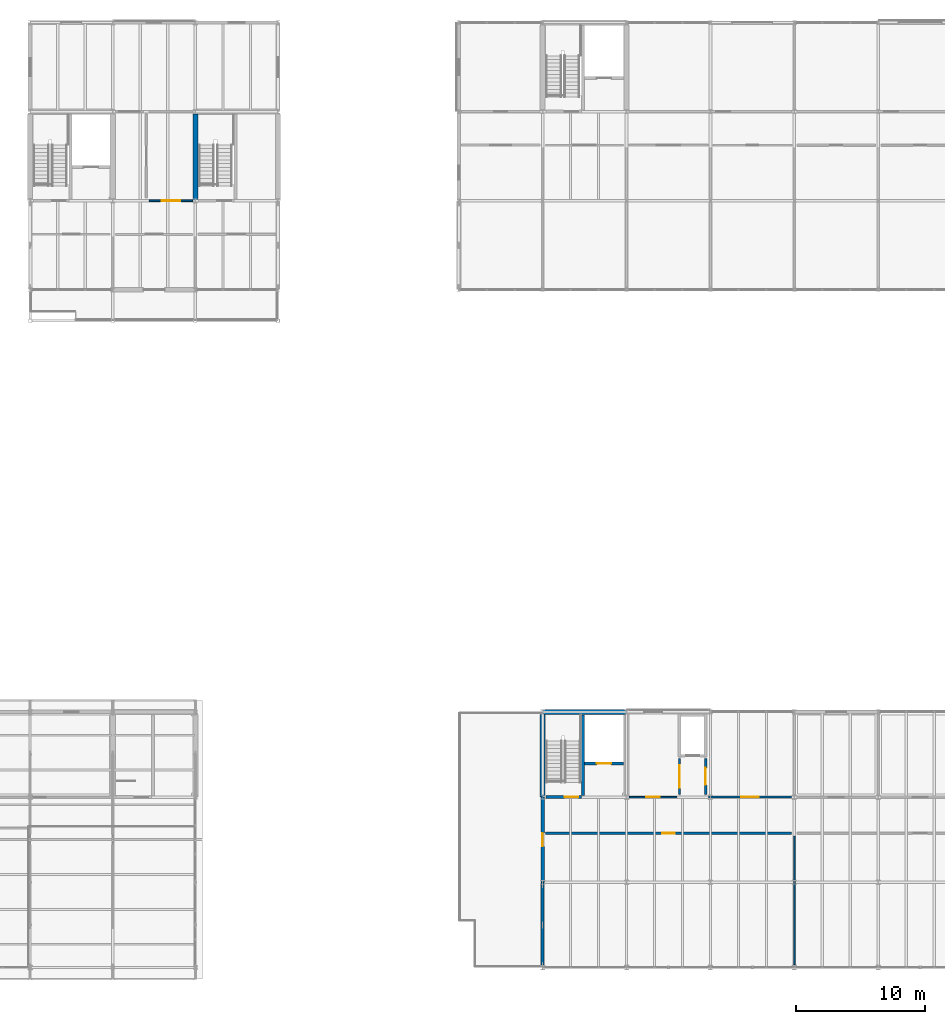
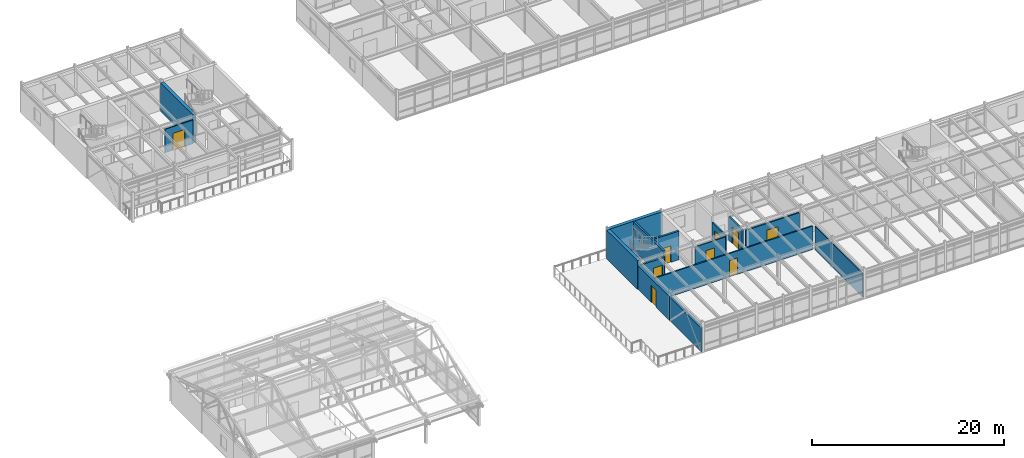
# One storey, part 47 of 57: 15 walls, 9 doors, 9 openings.
"""IFC4 building model written with IfcOpenShell, lengths in metres."""

import ifcopenshell
import ifcopenshell.guid

model = None  # the IFC model being written
_history = None  # IfcOwnerHistory: only IFC2X3 demands one
_inside = {}  # id of a spatial element -> (the spatial element, [elements in it])
_under = {}  # id of a project, library or spatial element -> (it, [spatial elements below it])
_declared = {}  # id of a project -> (the project, [libraries it declares])
_typed = {}  # id of a type object -> (the type object, [elements of that type])
_made_of = {}  # id of a material, layer set ... -> (it, [elements and type objects made of it])


def new_model(schema):
    """Start an empty IFC model of exactly this schema.

    Asked for "IFC4X3", IfcOpenShell would pick the latest addendum, in which some entities
    have other attributes; the version numbers below select the first issue.
    IFC2X3 requires an IfcOwnerHistory on every rooted entity: one is made here for all.
    """
    global model, _history
    if schema == "IFC4X3":
        model = ifcopenshell.file(schema_version=(4, 3, 0, 0))
    else:
        model = ifcopenshell.file(schema=schema)
    _inside.clear()
    _under.clear()
    _declared.clear()
    _typed.clear()
    _made_of.clear()
    _history = None
    if model.schema == "IFC2X3":
        org = make("IfcOrganization", Name="unknown")
        user = make(
            "IfcPersonAndOrganization",
            ThePerson=make("IfcPerson", FamilyName="unknown"),
            TheOrganization=org,
        )
        app = make(
            "IfcApplication",
            ApplicationDeveloper=org,
            Version="unknown",
            ApplicationFullName="unknown",
            ApplicationIdentifier="unknown",
        )
        _history = make(
            "IfcOwnerHistory",
            OwningUser=user,
            OwningApplication=app,
            ChangeAction="ADDED",
            CreationDate=0,
        )
    return model


def make(cls, **values):
    """One entity of the class cls with the attributes given. An attribute that is None is left unset."""
    return model.create_entity(
        cls, **{name: value for name, value in values.items() if value is not None}
    )


def rooted(cls, **values):
    """An entity with a GlobalId (a new one), such as an element, a storey or a relation."""
    return make(cls, GlobalId=ifcopenshell.guid.new(), OwnerHistory=_history, **values)


def si_unit(unit_type, name, prefix=None):
    """IfcSIUnit, for example si_unit("LENGTHUNIT", "METRE", prefix="MILLI")."""
    return make("IfcSIUnit", UnitType=unit_type, Prefix=prefix, Name=name)


def assignment(units):
    """IfcUnitAssignment: the units of a project."""
    return None if units is None else make("IfcUnitAssignment", Units=units)


def point(xyz):
    """IfcCartesianPoint."""
    return None if xyz is None else make("IfcCartesianPoint", Coordinates=xyz)


def direction(xyz):
    """IfcDirection."""
    return None if xyz is None else make("IfcDirection", DirectionRatios=xyz)


def frame(location, z_axis=None, x_axis=None):
    """IfcAxis2Placement3D, a coordinate frame: its origin and axes. An axis left out is left unset."""
    return make(
        "IfcAxis2Placement3D",
        Location=point(location),
        Axis=direction(z_axis),
        RefDirection=direction(x_axis),
    )


def frame_2d(location, x_axis=None):
    """IfcAxis2Placement2D, a coordinate frame in the plane: its origin and x axis."""
    return make(
        "IfcAxis2Placement2D", Location=point(location), RefDirection=direction(x_axis)
    )


def origin():
    """The frame at (0, 0, 0) with its axes left unset."""
    return frame((0.0, 0.0, 0.0))


def place(relative_to, where):
    """IfcLocalPlacement: puts the frame where relative to a parent placement (None: the world)."""
    return make(
        "IfcLocalPlacement", PlacementRelTo=relative_to, RelativePlacement=where
    )


def context(
    kind, dimensions, precision=None, world=None, true_north=None, identifier=None
):
    """IfcGeometricRepresentationContext, for example the 3D "Model" context."""
    return make(
        "IfcGeometricRepresentationContext",
        ContextIdentifier=identifier,
        ContextType=kind,
        CoordinateSpaceDimension=dimensions,
        Precision=precision,
        WorldCoordinateSystem=world,
        TrueNorth=true_north,
    )


def subcontext(parent, identifier, kind, view, scale=None):
    """IfcGeometricRepresentationSubContext, for example "Body" below "Model"."""
    return make(
        "IfcGeometricRepresentationSubContext",
        ContextIdentifier=identifier,
        ContextType=kind,
        ParentContext=parent,
        TargetScale=scale,
        TargetView=view,
    )


def project(units=None, contexts=None):
    """IfcProject with its units and contexts."""
    return rooted(
        "IfcProject",
        Name="project",
        RepresentationContexts=contexts,
        UnitsInContext=assignment(units),
    )


def spatial(cls, under=None, at=None, **own):
    """A site, building, storey or space (cls), placed at a placement, below another one or the project."""
    s = rooted(cls, ObjectPlacement=at, **own)
    if under is not None:
        _under.setdefault(under.id(), (under, []))[1].append(s)
    return s


def profile(cls, at=None, kind="AREA", **sizes):
    """A parametric profile (cls). Its sizes go by their IFC names, for example OverallWidth=200.0."""
    return make(cls, ProfileType=kind, Position=at, **sizes)


def rectangle(**sizes):
    """IfcRectangleProfileDef."""
    return profile("IfcRectangleProfileDef", **sizes)


def extrude(swept, where, along, depth):
    """IfcExtrudedAreaSolid: the profile swept, set in the frame where, extruded along a direction by depth."""
    return make(
        "IfcExtrudedAreaSolid",
        SweptArea=swept,
        Position=where,
        ExtrudedDirection=direction(along),
        Depth=depth,
    )


def shape(context_of_items, identifier, shape_type, items):
    """IfcShapeRepresentation: the items that make up one representation, for example the "Body"."""
    return make(
        "IfcShapeRepresentation",
        ContextOfItems=context_of_items,
        RepresentationIdentifier=identifier,
        RepresentationType=shape_type,
        Items=items,
    )


def material(Name=None, Category=None):
    """IfcMaterial."""
    return make("IfcMaterial", Name=Name, Category=Category)


def layer(
    of_material, thickness, ventilated=None, Name=None, Category=None, Priority=None
):
    """IfcMaterialLayer: one layer of a wall or slab, of a material (None: an air gap)."""
    return make(
        "IfcMaterialLayer",
        Material=of_material,
        LayerThickness=thickness,
        IsVentilated=ventilated,
        Name=Name,
        Category=Category,
        Priority=Priority,
    )


def layer_set(layers, Name=None):
    """IfcMaterialLayerSet."""
    return make("IfcMaterialLayerSet", MaterialLayers=layers, LayerSetName=Name)


def made_of(thing, what):
    """Note that an element or type object is made of a material, layer set ...; save() writes the relation."""
    if what is not None:
        _made_of.setdefault(what.id(), (what, []))[1].append(thing)
    return thing


def type_object(cls, material=None, **own):
    """A type object (cls), such as IfcWallType, which elements share."""
    return made_of(rooted(cls, **own), material)


def element(
    cls,
    number,
    at=None,
    inside=None,
    cuts=None,
    type_object=None,
    material=None,
    context=None,
    identifier="Body",
    shape_type=None,
    held_by="IfcProductDefinitionShape",
    body=None,
    shapes=None,
    **own,
):
    """One element of the class cls, such as IfcWall. Its Tag is "e" and its number.

    at: its placement. inside: the storey or other place that contains it. cuts: it is an
    opening in that element (IfcRelVoidsElement). A single representation is given by context,
    identifier, shape_type and body (its items); several are given by shapes. held_by: the class
    of the entity that holds the representations. save() writes the other relations.
    """
    e = rooted(cls, Tag="e%d" % number, ObjectPlacement=at, **own)
    if body is not None:
        shapes = [shape(context, identifier, shape_type, body)]
    if shapes is not None:
        e.Representation = make(held_by, Representations=shapes)
    if inside is not None:
        _inside.setdefault(inside.id(), (inside, []))[1].append(e)
    if cuts is not None:
        rooted(
            "IfcRelVoidsElement", RelatingBuildingElement=cuts, RelatedOpeningElement=e
        )
    if type_object is not None:
        _typed.setdefault(type_object.id(), (type_object, []))[1].append(e)
    return made_of(e, material)


def fill(opening, filler):
    """IfcRelFillsElement: the door or window that sits in an opening."""
    return rooted(
        "IfcRelFillsElement",
        RelatingOpeningElement=opening,
        RelatedBuildingElement=filler,
    )


def aggregate(whole, parts):
    """IfcRelAggregates: a whole, such as a stair, and the parts it consists of."""
    return rooted("IfcRelAggregates", RelatingObject=whole, RelatedObjects=parts)


def save(model, path):
    """Write the relations noted so far, then the file.

    IfcRelAggregates (storeys below a building ...), IfcRelContainedInSpatialStructure (elements
    in a storey), IfcRelDefinesByType, IfcRelAssociatesMaterial and IfcRelDeclares: one each for
    every whole, place, type object, material and project.
    """
    for whole, parts in _under.values():
        aggregate(whole, parts)
    for where, things in _inside.values():
        rooted(
            "IfcRelContainedInSpatialStructure",
            RelatedElements=things,
            RelatingStructure=where,
        )
    for kind, things in _typed.values():
        rooted("IfcRelDefinesByType", RelatedObjects=things, RelatingType=kind)
    for what, things in _made_of.values():
        rooted("IfcRelAssociatesMaterial", RelatedObjects=things, RelatingMaterial=what)
    for by, libraries in _declared.values():
        rooted("IfcRelDeclares", RelatingContext=by, RelatedDefinitions=libraries)
    model.write(path)


model = new_model("IFC4")

# Units and contexts
model_context = context("Model", 3, precision=1e-05, world=origin(), true_north=direction((0.0, 1.0)))
body_context = subcontext(model_context, "Body", "Model", "MODEL_VIEW")
ifc_project = project(units=[si_unit("LENGTHUNIT", "METRE"), si_unit("AREAUNIT", "SQUARE_METRE"), si_unit("VOLUMEUNIT", "CUBIC_METRE"), si_unit("PLANEANGLEUNIT", "RADIAN"), si_unit("MASSUNIT", "GRAM", prefix="KILO")], contexts=[model_context])

# Site, building, storey
site_placement = place(None, origin())
site = spatial("IfcSite", under=ifc_project, at=site_placement, CompositionType="ELEMENT")
building_placement = place(site_placement, origin())
building = spatial("IfcBuilding", under=site, at=building_placement, Name="Trelmorton Wharf Fire Station", CompositionType="ELEMENT")
storey_placement = place(building_placement, frame((0.0, 0.0, 13.5)))
storey = spatial("IfcBuildingStorey", under=building, at=storey_placement, Name="L03", CompositionType="ELEMENT", Elevation=13.5)

# Wall
ifc_material_1 = material(Name="Precast concrete 45 MPa", Category="concrete")
ifc_layer_1 = layer(ifc_material_1, 0.22998046875)
ifc_layer_set_1 = layer_set([ifc_layer_1], Name="Precast concrete 45 MPa")
wall_type_1 = type_object("IfcWallType", Name="EW_PREC_230", PredefinedType="SOLIDWALL", material=ifc_layer_set_1)
wall_1_placement = place(storey_placement, frame((110.5, 7.804931640625, 0.0), z_axis=(0.0, 0.0, 1.0), x_axis=(0.0, 1.0, 0.0)))
element("IfcWall", 1, at=wall_1_placement, inside=storey, type_object=wall_type_1, Name="EW-V5-L03-0102", PredefinedType="SOLIDWALL", context=body_context, shape_type="SweptSolid", body=[
    extrude(rectangle(XDim=6.590087890625, YDim=0.22998046875, at=frame_2d((3.294921875, 0.0))), origin(), (0.0, 0.0, 1.0), 3.02001953125),
])

# Wall, opening, door
ifc_layer_2 = layer(ifc_material_1, 0.27001953125)
ifc_layer_set_2 = layer_set([ifc_layer_2], Name="Precast concrete 45 MPa")
wall_type_2 = type_object("IfcWallType", Name="EW_PREC_270", PredefinedType="SOLIDWALL", material=ifc_layer_set_2)
wall_2_placement = place(storey_placement, frame((110.5, 14.405029296875, 0.0), z_axis=(0.0, 0.0, 1.0), x_axis=(0.0, 1.0, 0.0)))
wall_2 = element("IfcWall", 2, at=wall_2_placement, inside=storey, type_object=wall_type_2, Name="EW-V5-L03-0104", PredefinedType="SOLIDWALL", context=body_context, shape_type="SweptSolid", body=[
    extrude(rectangle(XDim=6.590087890625, YDim=0.27001953125, at=frame_2d((3.294921875, 0.0))), origin(), (0.0, 0.0, 1.0), 3.02001953125),
])
opening_1_placement = place(wall_2_placement, frame((2.784912109375, 0.0, 0.0)))
opening_1 = element("IfcOpeningElement", 3, at=opening_1_placement, cuts=wall_2, Name="Opening TD-017", PredefinedType="OPENING", context=body_context, shape_type="SweptSolid", body=[
    extrude(rectangle(XDim=1.02001953125, YDim=2.139892578125, at=frame_2d((0.510009765625, 1.06982421875))), frame((0.0, 0.14501953125, 0.0), z_axis=(0.0, -1.0, 0.0), x_axis=(1.0, 0.0, 0.0)), (0.0, 0.0, 1.0), 0.2900390625),
])
ifc_material_2 = material(Name="Anodised aluminium AW-6063", Category="aluminium")
door_type_1 = type_object("IfcDoorType", Name="DR_TER_SGL_102", OperationType="NOTDEFINED", PredefinedType="DOOR", material=ifc_material_2)
door_1_placement = place(opening_1_placement, origin())
door_1 = element("IfcDoor", 4, at=door_1_placement, inside=storey, type_object=door_type_1, Name="Terrace Door TD-017", OperationType="SINGLE_SWING_LEFT", OverallHeight=2.139892578125, OverallWidth=1.02001953125, PredefinedType="DOOR", context=body_context, shape_type="SweptSolid", body=[
    extrude(rectangle(XDim=1.02001953125, YDim=2.139892578125, at=frame_2d((0.510009765625, 1.06982421875))), frame((0.0, 0.02490234375, 0.0), z_axis=(0.0, -1.0, 0.0), x_axis=(1.0, 0.0, 0.0)), (0.0, 0.0, 1.0), 0.050048828125),
])
fill(opening_1, door_1)

ifc_material_3 = material(Name="Gypsum plasterboard partition")
ifc_layer_3 = layer(ifc_material_3, 0.159912109375)
ifc_layer_set_3 = layer_set([ifc_layer_3], Name="Gypsum plasterboard partition")
wall_type_3 = type_object("IfcWallType", Name="IW_ACOU_160", PredefinedType="PARTITIONING", material=ifc_layer_set_3)
wall_3_placement = place(storey_placement, frame((121.110107421875, 21.219970703125, 0.0), z_axis=(0.0, 0.0, 1.0), x_axis=(0.0, 1.0, 0.0)))
wall_3 = element("IfcWall", 5, at=wall_3_placement, inside=storey, type_object=wall_type_3, Name="IW-L03-0176", PredefinedType="PARTITIONING", context=body_context, shape_type="SweptSolid", body=[
    extrude(rectangle(XDim=2.760009765625, YDim=0.159912109375, at=frame_2d((1.3798828125, 0.0))), origin(), (0.0, 0.0, 1.0), 3.0),
])
opening_2_placement = place(wall_3_placement, frame((0.510009765625, 0.0, 0.0)))
opening_2 = element("IfcOpeningElement", 6, at=opening_2_placement, cuts=wall_3, Name="Opening D-119", PredefinedType="OPENING", context=body_context, shape_type="SweptSolid", body=[
    extrude(rectangle(XDim=1.739990234375, YDim=2.199951171875, at=frame_2d((0.8701171875, 1.10009765625))), frame((0.0, 0.08984375, 0.0), z_axis=(0.0, -1.0, 0.0), x_axis=(1.0, 0.0, 0.0)), (0.0, 0.0, 1.0), 0.179931640625),
])
ifc_material_4 = material(Name="Acoustic timber panelling", Category="wood")
door_type_2 = type_object("IfcDoorType", Name="DR_INT_174", OperationType="DOUBLE_DOOR_SINGLE_SWING", PredefinedType="DOOR", material=ifc_material_4)
door_2_placement = place(opening_2_placement, origin())
door_2 = element("IfcDoor", 7, at=door_2_placement, inside=storey, type_object=door_type_2, Name="Interior Door D-119", OperationType="DOUBLE_DOOR_SINGLE_SWING", OverallHeight=2.199951171875, OverallWidth=1.739990234375, PredefinedType="DOOR", context=body_context, shape_type="SweptSolid", body=[
    extrude(rectangle(XDim=1.739990234375, YDim=2.199951171875, at=frame_2d((0.8701171875, 1.10009765625))), frame((0.0, 0.02490234375, 0.0), z_axis=(0.0, -1.0, 0.0), x_axis=(1.0, 0.0, 0.0)), (0.0, 0.0, 1.0), 0.050048828125),
])
fill(opening_2, door_2)

wall_4_placement = place(storey_placement, frame((110.719970703125, 18.199951171875, 0.0), z_axis=(0.0, 0.0, 1.0), x_axis=(1.0, 0.0, 0.0)))
wall_4 = element("IfcWall", 8, at=wall_4_placement, inside=storey, type_object=wall_type_3, Name="IW-L03-0183", PredefinedType="PARTITIONING", context=body_context, shape_type="SweptSolid", body=[
    extrude(rectangle(XDim=19.06005859375, YDim=0.159912109375, at=frame_2d((9.530029296875, 0.0))), origin(), (0.0, 0.0, 1.0), 3.0),
])
opening_3_placement = place(wall_4_placement, frame((9.044921875, 0.0, 0.0)))
opening_3 = element("IfcOpeningElement", 9, at=opening_3_placement, cuts=wall_4, Name="Opening D-124", PredefinedType="OPENING", context=body_context, shape_type="SweptSolid", body=[
    extrude(rectangle(XDim=0.969970703125, YDim=2.10009765625, at=frame_2d((0.48486328125, 1.050048828125))), frame((0.0, 0.08984375, 0.0), z_axis=(0.0, -1.0, 0.0), x_axis=(1.0, 0.0, 0.0)), (0.0, 0.0, 1.0), 0.179931640625),
])
door_type_3 = type_object("IfcDoorType", Name="DR_INT_097", OperationType="NOTDEFINED", PredefinedType="DOOR", material=ifc_material_4)
door_3_placement = place(opening_3_placement, origin())
door_3 = element("IfcDoor", 10, at=door_3_placement, inside=storey, type_object=door_type_3, Name="Interior Door D-124", OperationType="SINGLE_SWING_RIGHT", OverallHeight=2.10009765625, OverallWidth=0.969970703125, PredefinedType="DOOR", context=body_context, shape_type="SweptSolid", body=[
    extrude(rectangle(XDim=0.969970703125, YDim=2.10009765625, at=frame_2d((0.48486328125, 1.050048828125))), frame((0.0, 0.02490234375, 0.0), z_axis=(0.0, -1.0, 0.0), x_axis=(1.0, 0.0, 0.0)), (0.0, 0.0, 1.0), 0.050048828125),
])
fill(opening_3, door_3)

# Wall
ifc_material_5 = material(Name="Concrete 40 MPa", Category="concrete")
ifc_layer_4 = layer(ifc_material_5, 0.219970703125)
ifc_layer_set_4 = layer_set([ifc_layer_4], Name="Concrete 40 MPa")
wall_type_4 = type_object("IfcWallType", Name="IW_CORE_220", PredefinedType="SOLIDWALL", material=ifc_layer_set_4)
wall_5_placement = place(storey_placement, frame((113.6201171875, 21.1201171875, 0.0), z_axis=(0.0, 0.0, 1.0), x_axis=(0.0, 1.0, 0.0)))
element("IfcWall", 11, at=wall_5_placement, inside=storey, type_object=wall_type_4, Name="IW-C3-DIV-L03", PredefinedType="SOLIDWALL", context=body_context, shape_type="SweptSolid", body=[
    extrude(rectangle(XDim=6.2548828125, YDim=0.219970703125, at=frame_2d((3.12744140625, 0.0))), origin(), (0.0, 0.0, 1.0), 3.659912109375),
])

# Wall, opening, door
wall_6_placement = place(storey_placement, frame((110.760009765625, 21.0, 0.0), z_axis=(0.0, 0.0, 1.0), x_axis=(1.0, 0.0, 0.0)))
wall_6 = element("IfcWall", 12, at=wall_6_placement, inside=storey, type_object=wall_type_4, Name="IW-C3-SF-L03", PredefinedType="SOLIDWALL", context=body_context, shape_type="SweptSolid", body=[
    extrude(rectangle(XDim=2.739990234375, YDim=0.219970703125, at=frame_2d((1.3701171875, 0.0))), origin(), (0.0, 0.0, 1.0), 3.02001953125),
])
opening_4_placement = place(wall_6_placement, frame((1.43994140625, 0.0, 0.0)))
opening_4 = element("IfcOpeningElement", 13, at=opening_4_placement, cuts=wall_6, Name="Opening FD-014", PredefinedType="OPENING", context=body_context, shape_type="SweptSolid", body=[
    extrude(rectangle(XDim=1.06005859375, YDim=2.10009765625, at=frame_2d((0.530029296875, 1.050048828125))), frame((0.0, 0.1201171875, 0.0), z_axis=(0.0, -1.0, 0.0), x_axis=(1.0, 0.0, 0.0)), (0.0, 0.0, 1.0), 0.239990234375),
])
ifc_material_6 = material(Name="Stainless steel 316 marine grade", Category="steel")
door_type_4 = type_object("IfcDoorType", Name="DR_FIRE_106", OperationType="NOTDEFINED", PredefinedType="DOOR", material=ifc_material_6)
door_4_placement = place(opening_4_placement, origin())
door_4 = element("IfcDoor", 14, at=door_4_placement, inside=storey, type_object=door_type_4, Name="Stair Fire Door FD-014", OperationType="SINGLE_SWING_LEFT", OverallHeight=2.10009765625, OverallWidth=1.06005859375, PredefinedType="DOOR", context=body_context, shape_type="SweptSolid", body=[
    extrude(rectangle(XDim=1.06005859375, YDim=2.10009765625, at=frame_2d((0.530029296875, 1.050048828125))), frame((0.0, 0.02490234375, 0.0), z_axis=(0.0, -1.0, 0.0), x_axis=(1.0, 0.0, 0.0)), (0.0, 0.0, 1.0), 0.050048828125),
])
fill(opening_4, door_4)

wall_7_placement = place(storey_placement, frame((113.739990234375, 23.60009765625, 0.0), z_axis=(0.0, 0.0, 1.0), x_axis=(1.0, 0.0, 0.0)))
wall_7 = element("IfcWall", 15, at=wall_7_placement, inside=storey, type_object=wall_type_4, Name="IW-C3-LSH-L03", PredefinedType="SOLIDWALL", context=body_context, shape_type="SweptSolid", body=[
    extrude(rectangle(XDim=3.034912109375, YDim=0.219970703125, at=frame_2d((1.517578125, 0.0))), origin(), (0.0, 0.0, 1.0), 3.659912109375),
])
opening_5_placement = place(wall_7_placement, frame((0.967529296875, 0.0, 0.0)))
opening_5 = element("IfcOpeningElement", 16, at=opening_5_placement, cuts=wall_7, Name="Opening LD-011", PredefinedType="OPENING", context=body_context, shape_type="SweptSolid", body=[
    extrude(rectangle(XDim=1.10009765625, YDim=2.10009765625, at=frame_2d((0.550048828125, 1.050048828125))), frame((0.0, 0.1201171875, 0.0), z_axis=(0.0, -1.0, 0.0), x_axis=(1.0, 0.0, 0.0)), (0.0, 0.0, 1.0), 0.239990234375),
])
door_type_5 = type_object("IfcDoorType", Name="DR_LIFT_110", OperationType="DOUBLE_DOOR_SLIDING", PredefinedType="DOOR", material=ifc_material_6)
door_5_placement = place(opening_5_placement, origin())
door_5 = element("IfcDoor", 17, at=door_5_placement, inside=storey, type_object=door_type_5, Name="Lift Landing Door LD-011", OperationType="DOUBLE_DOOR_SLIDING", OverallHeight=2.10009765625, OverallWidth=1.10009765625, PredefinedType="DOOR", context=body_context, shape_type="SweptSolid", body=[
    extrude(rectangle(XDim=1.10009765625, YDim=2.10009765625, at=frame_2d((0.550048828125, 1.050048828125))), frame((0.0, 0.02490234375, 0.0), z_axis=(0.0, -1.0, 0.0), x_axis=(1.0, 0.0, 0.0)), (0.0, 0.0, 1.0), 0.050048828125),
])
fill(opening_5, door_5)

ifc_layer_5 = layer(ifc_material_1, 0.169921875)
ifc_layer_set_5 = layer_set([ifc_layer_5], Name="Precast concrete 45 MPa")
wall_type_5 = type_object("IfcWallType", Name="IW_FIRE_170", PredefinedType="PARTITIONING", material=ifc_layer_set_5)
wall_8_placement = place(storey_placement, frame((123.35009765625, 21.0, 0.0), z_axis=(0.0, 0.0, 1.0), x_axis=(1.0, 0.0, 0.0)))
wall_8 = element("IfcWall", 18, at=wall_8_placement, inside=storey, type_object=wall_type_5, Name="IW-L03-0188", PredefinedType="PARTITIONING", context=body_context, shape_type="SweptSolid", body=[
    extrude(rectangle(XDim=6.429931640625, YDim=0.169921875, at=frame_2d((3.21484375, 0.0))), origin(), (0.0, 0.0, 1.0), 3.0),
])
opening_6_placement = place(wall_8_placement, frame((2.554931640625, 0.0, 0.0)))
opening_6 = element("IfcOpeningElement", 19, at=opening_6_placement, cuts=wall_8, Name="Opening D-128", PredefinedType="OPENING", context=body_context, shape_type="SweptSolid", body=[
    extrude(rectangle(XDim=1.320068359375, YDim=2.1201171875, at=frame_2d((0.66015625, 1.06005859375))), frame((0.0, 0.094970703125, 0.0), z_axis=(0.0, -1.0, 0.0), x_axis=(1.0, 0.0, 0.0)), (0.0, 0.0, 1.0), 0.18994140625),
])
door_type_6 = type_object("IfcDoorType", Name="DR_FIRE_132", OperationType="NOTDEFINED", PredefinedType="DOOR", material=ifc_material_6)
door_6_placement = place(opening_6_placement, origin())
door_6 = element("IfcDoor", 20, at=door_6_placement, inside=storey, type_object=door_type_6, Name="Interior Door D-128", OperationType="SINGLE_SWING_RIGHT", OverallHeight=2.1201171875, OverallWidth=1.320068359375, PredefinedType="DOOR", context=body_context, shape_type="SweptSolid", body=[
    extrude(rectangle(XDim=1.320068359375, YDim=2.1201171875, at=frame_2d((0.66015625, 1.06005859375))), frame((0.0, 0.02490234375, 0.0), z_axis=(0.0, -1.0, 0.0), x_axis=(1.0, 0.0, 0.0)), (0.0, 0.0, 1.0), 0.050048828125),
])
fill(opening_6, door_6)

ifc_layer_6 = layer(ifc_material_1, 0.199951171875)
ifc_layer_set_6 = layer_set([ifc_layer_6], Name="Precast concrete 45 MPa")
wall_type_6 = type_object("IfcWallType", Name="IW_FIRE_200", PredefinedType="PARTITIONING", material=ifc_layer_set_6)
wall_9_placement = place(storey_placement, frame((123.1298828125, 21.219970703125, 0.0), z_axis=(0.0, 0.0, 1.0), x_axis=(0.0, 1.0, 0.0)))
wall_9 = element("IfcWall", 21, at=wall_9_placement, inside=storey, type_object=wall_type_6, Name="IW-L03-0177", PredefinedType="PARTITIONING", context=body_context, shape_type="SweptSolid", body=[
    extrude(rectangle(XDim=2.760009765625, YDim=0.199951171875, at=frame_2d((1.3798828125, 0.0))), origin(), (0.0, 0.0, 1.0), 3.0),
])
opening_7_placement = place(wall_9_placement, frame((0.719970703125, 0.0, 0.0)))
opening_7 = element("IfcOpeningElement", 22, at=opening_7_placement, cuts=wall_9, Name="Opening D-120", PredefinedType="OPENING", context=body_context, shape_type="SweptSolid", body=[
    extrude(rectangle(XDim=1.320068359375, YDim=2.1201171875, at=frame_2d((0.66015625, 1.06005859375))), frame((0.0, 0.10986328125, 0.0), z_axis=(0.0, -1.0, 0.0), x_axis=(1.0, 0.0, 0.0)), (0.0, 0.0, 1.0), 0.219970703125),
])
door_7_placement = place(opening_7_placement, origin())
door_7 = element("IfcDoor", 23, at=door_7_placement, inside=storey, type_object=door_type_6, Name="Interior Door D-120", OperationType="SINGLE_SWING_RIGHT", OverallHeight=2.1201171875, OverallWidth=1.320068359375, PredefinedType="DOOR", context=body_context, shape_type="SweptSolid", body=[
    extrude(rectangle(XDim=1.320068359375, YDim=2.1201171875, at=frame_2d((0.66015625, 1.06005859375))), frame((0.0, 0.02490234375, 0.0), z_axis=(0.0, -1.0, 0.0), x_axis=(1.0, 0.0, 0.0)), (0.0, 0.0, 1.0), 0.050048828125),
])
fill(opening_7, door_7)

# Wall
ifc_layer_7 = layer(ifc_material_3, 0.10009765625)
ifc_layer_set_7 = layer_set([ifc_layer_7], Name="Gypsum plasterboard partition")
wall_type_7 = type_object("IfcWallType", Name="IW_PART_100", PredefinedType="PARTITIONING", material=ifc_layer_set_7)
wall_10_placement = place(storey_placement, frame((130.0, 8.02001953125, 0.0), z_axis=(0.0, 0.0, 1.0), x_axis=(0.0, 1.0, 0.0)))
element("IfcWall", 24, at=wall_10_placement, inside=storey, type_object=wall_type_7, Name="IW-L03-0182", PredefinedType="PARTITIONING", context=body_context, shape_type="SweptSolid", body=[
    extrude(rectangle(XDim=9.9599609375, YDim=0.10009765625, at=frame_2d((4.97998046875, 0.0))), origin(), (0.0, 0.0, 1.0), 3.0),
])

# Wall, opening, door
ifc_layer_8 = layer(ifc_material_3, 0.139892578125)
ifc_layer_set_8 = layer_set([ifc_layer_8], Name="Gypsum plasterboard partition")
wall_type_8 = type_object("IfcWallType", Name="IW_PART_140", PredefinedType="PARTITIONING", material=ifc_layer_set_8)
wall_11_placement = place(storey_placement, frame((80.02001953125, 67.199951171875, 0.0), z_axis=(0.0, 0.0, 1.0), x_axis=(1.0, 0.0, 0.0)))
wall_11 = element("IfcWall", 25, at=wall_11_placement, inside=storey, type_object=wall_type_8, Name="IW-L03-0199", PredefinedType="PARTITIONING", context=body_context, shape_type="SweptSolid", body=[
    extrude(rectangle(XDim=3.35986328125, YDim=0.139892578125, at=frame_2d((1.679931640625, 0.0))), origin(), (0.0, 0.0, 1.0), 3.0),
])
opening_8_placement = place(wall_11_placement, frame((0.969970703125, 0.0, 0.0)))
opening_8 = element("IfcOpeningElement", 26, at=opening_8_placement, cuts=wall_11, Name="Opening D-135", PredefinedType="OPENING", context=body_context, shape_type="SweptSolid", body=[
    extrude(rectangle(XDim=1.419921875, YDim=2.14990234375, at=frame_2d((0.7099609375, 1.074951171875))), frame((0.0, 0.080078125, 0.0), z_axis=(0.0, -1.0, 0.0), x_axis=(1.0, 0.0, 0.0)), (0.0, 0.0, 1.0), 0.159912109375),
])
door_type_7 = type_object("IfcDoorType", Name="DR_INT_142", OperationType="DOUBLE_DOOR_SINGLE_SWING", PredefinedType="DOOR", material=ifc_material_4)
door_8_placement = place(opening_8_placement, origin())
door_8 = element("IfcDoor", 27, at=door_8_placement, inside=storey, type_object=door_type_7, Name="Interior Door D-135", OperationType="DOUBLE_DOOR_SINGLE_SWING", OverallHeight=2.14990234375, OverallWidth=1.419921875, PredefinedType="DOOR", context=body_context, shape_type="SweptSolid", body=[
    extrude(rectangle(XDim=1.419921875, YDim=2.14990234375, at=frame_2d((0.7099609375, 1.074951171875))), frame((0.0, 0.02490234375, 0.0), z_axis=(0.0, -1.0, 0.0), x_axis=(1.0, 0.0, 0.0)), (0.0, 0.0, 1.0), 0.050048828125),
])
fill(opening_8, door_8)

ifc_layer_9 = layer(ifc_material_3, 0.1201171875)
ifc_layer_set_9 = layer_set([ifc_layer_9], Name="Gypsum plasterboard partition")
wall_type_9 = type_object("IfcWallType", Name="IW_WET_120", PredefinedType="PARTITIONING", material=ifc_layer_set_9)
wall_12_placement = place(storey_placement, frame((117.219970703125, 21.0, 0.0), z_axis=(0.0, 0.0, 1.0), x_axis=(1.0, 0.0, 0.0)))
wall_12 = element("IfcWall", 28, at=wall_12_placement, inside=storey, type_object=wall_type_9, Name="IW-L03-0187", PredefinedType="PARTITIONING", context=body_context, shape_type="SweptSolid", body=[
    extrude(rectangle(XDim=3.669921875, YDim=0.1201171875, at=frame_2d((1.8349609375, 0.0))), origin(), (0.0, 0.0, 1.0), 3.0),
])
opening_9_placement = place(wall_12_placement, frame((1.300048828125, 0.0, 0.0)))
opening_9 = element("IfcOpeningElement", 29, at=opening_9_placement, cuts=wall_12, Name="Opening D-127", PredefinedType="OPENING", context=body_context, shape_type="SweptSolid", body=[
    extrude(rectangle(XDim=1.070068359375, YDim=2.080078125, at=frame_2d((0.53515625, 1.0400390625))), frame((0.0, 0.070068359375, 0.0), z_axis=(0.0, -1.0, 0.0), x_axis=(1.0, 0.0, 0.0)), (0.0, 0.0, 1.0), 0.14013671875),
])
door_type_8 = type_object("IfcDoorType", Name="DR_INT_107", OperationType="NOTDEFINED", PredefinedType="DOOR", material=ifc_material_4)
door_9_placement = place(opening_9_placement, origin())
door_9 = element("IfcDoor", 30, at=door_9_placement, inside=storey, type_object=door_type_8, Name="Interior Door D-127", OperationType="SINGLE_SWING_LEFT", OverallHeight=2.080078125, OverallWidth=1.070068359375, PredefinedType="DOOR", context=body_context, shape_type="SweptSolid", body=[
    extrude(rectangle(XDim=1.070068359375, YDim=2.080078125, at=frame_2d((0.53515625, 1.0400390625))), frame((0.0, 0.02490234375, 0.0), z_axis=(0.0, -1.0, 0.0), x_axis=(1.0, 0.0, 0.0)), (0.0, 0.0, 1.0), 0.050048828125),
])
fill(opening_9, door_9)

# Walls
ifc_material_7 = material(Name="Concrete 50 MPa", Category="concrete")
ifc_layer_10 = layer(ifc_material_7, 0.39990234375)
ifc_layer_set_10 = layer_set([ifc_layer_10], Name="Concrete 50 MPa")
wall_type_10 = type_object("IfcWallType", Name="WL_CORE_400", PredefinedType="SHEAR", material=ifc_layer_set_10)
wall_13_placement = place(storey_placement, frame((110.5, 27.60009765625, 0.0), z_axis=(0.0, 0.0, 1.0), x_axis=(1.0, 0.0, 0.0)))
element("IfcWall", 31, at=wall_13_placement, inside=storey, type_object=wall_type_10, Name="WL-SW-C3-L03-040", PredefinedType="SHEAR", context=body_context, shape_type="SweptSolid", body=[
    extrude(rectangle(XDim=6.5, YDim=0.39990234375, at=frame_2d((3.25, 0.0))), origin(), (0.0, 0.0, 1.0), 3.659912109375),
])
wall_14_placement = place(storey_placement, frame((110.5, 21.0, 0.0), z_axis=(0.0, 0.0, 1.0), x_axis=(0.0, 1.0, 0.0)))
element("IfcWall", 32, at=wall_14_placement, inside=storey, type_object=wall_type_10, Name="WL-SW-C3-L03-041", PredefinedType="SHEAR", context=body_context, shape_type="SweptSolid", body=[
    extrude(rectangle(XDim=6.39990234375, YDim=0.39990234375, at=frame_2d((3.199951171875, 0.0))), origin(), (0.0, 0.0, 1.0), 3.659912109375),
])
wall_15_placement = place(storey_placement, frame((83.60009765625, 67.199951171875, 0.0), z_axis=(0.0, 0.0, 1.0), x_axis=(0.0, 1.0, 0.0)))
element("IfcWall", 33, at=wall_15_placement, inside=storey, type_object=wall_type_10, Name="WL-SW-C6B-L03-113", PredefinedType="SHEAR", context=body_context, shape_type="SweptSolid", body=[
    extrude(rectangle(XDim=6.699951171875, YDim=0.39990234375, at=frame_2d((3.35009765625, 0.0))), origin(), (0.0, 0.0, 1.0), 3.659912109375),
])

save(model, "model.ifc")
